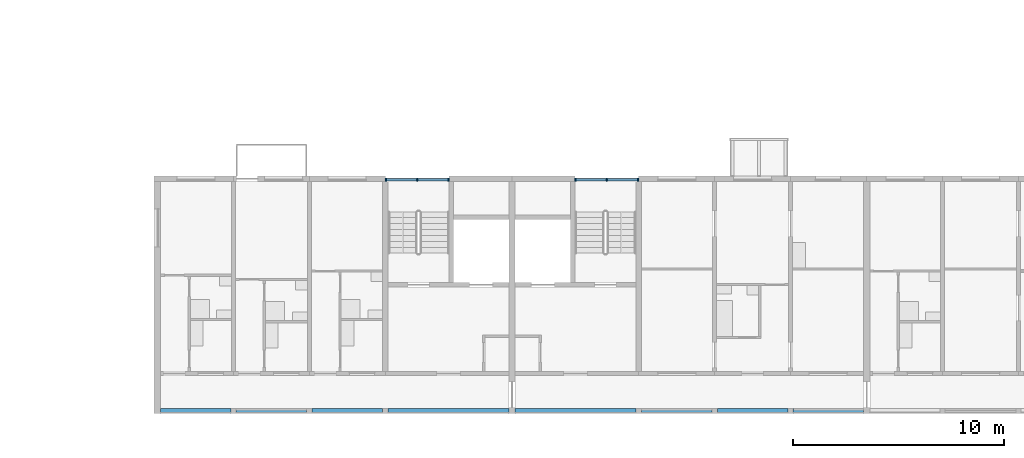
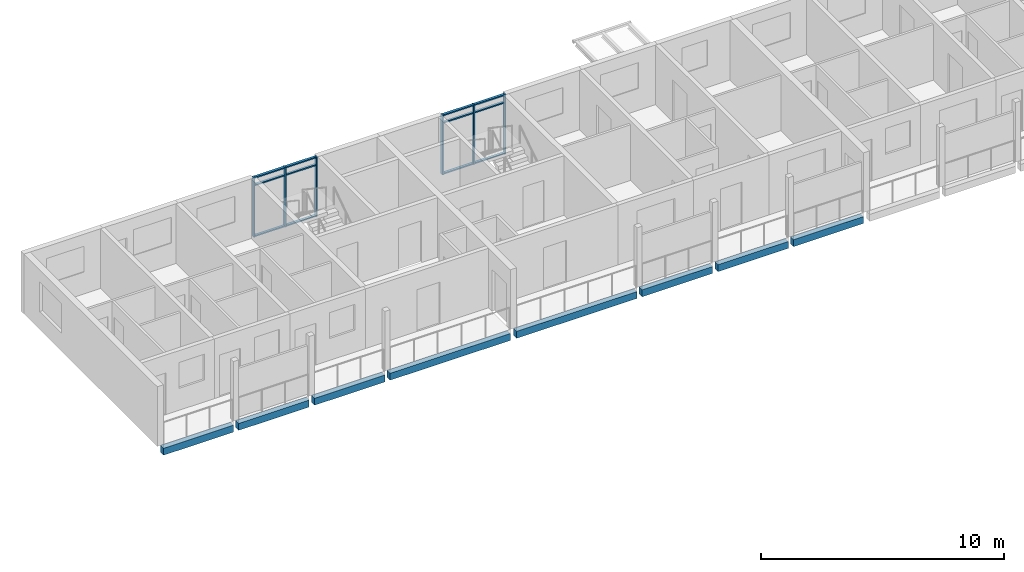
# One storey, part 14 of 94: 18 members, 8 beams, 2 elements without a shape of their own.
"""IFC4 building model written with IfcOpenShell, lengths in metres."""

from ifc_helpers import new_model, si_unit, direction, frame, origin, origin_2d, place, context, subcontext, project, spatial, rectangle, extrude, material, material_profile, profile_set, type_object, element, aggregate, save


model = new_model("IFC4")

# Units and contexts
model_context = context("Model", 3, precision=1e-05, world=origin(), true_north=direction((0.0, 1.0)))
body_context = subcontext(model_context, "Body", "Model", "MODEL_VIEW")
ifc_project = project(units=[si_unit("LENGTHUNIT", "METRE"), si_unit("AREAUNIT", "SQUARE_METRE"), si_unit("VOLUMEUNIT", "CUBIC_METRE"), si_unit("PLANEANGLEUNIT", "RADIAN"), si_unit("MASSUNIT", "GRAM", prefix="KILO")], contexts=[model_context])

# Site, building, storey
site_placement = place(None, origin())
site = spatial("IfcSite", under=ifc_project, at=site_placement, CompositionType="ELEMENT")
building_placement = place(site_placement, origin())
building = spatial("IfcBuilding", under=site, at=building_placement, Name="Ridgestep Commons", CompositionType="ELEMENT")
storey_placement = place(building_placement, frame((0.0, 0.0, 21.0)))
storey = spatial("IfcBuildingStorey", under=building, at=storey_placement, Name="L07", CompositionType="ELEMENT", Elevation=21.0)

# Beams
ifc_material_1 = material(Name="Precast concrete C40/50", Category="concrete")
ifc_material_profile_1 = material_profile(ifc_material_1, rectangle(XDim=0.25, YDim=0.35009765625, at=origin_2d()), Name="PC 250x350")
ifc_profile_set_1 = profile_set([ifc_material_profile_1], Name="Precast concrete C40/50")
beam_type = type_object("IfcBeamType", Name="Loggia edge beam 250 x 350", PredefinedType="SPANDREL", material=ifc_profile_set_1)
beam_1_placement = place(storey_placement, frame((146.949951171875, 11.875, -0.375), z_axis=(1.0, 0.0, 0.0), x_axis=(0.0, 1.0, 0.0)))
element("IfcBeam", 1, at=beam_1_placement, inside=storey, type_object=beam_type, Name="Loggia edge beam D1T1 L07", PredefinedType="SPANDREL", context=body_context, shape_type="SweptSolid", body=[
    extrude(rectangle(XDim=0.25, YDim=0.35009765625, at=origin_2d()), origin(), (0.0, 0.0, 1.0), 3.324951171875),
])
for number, where, z_axis, x_axis, name in (
    (2, (150.52490234375, 11.875, -0.375), (1.0, 0.0, 0.0), (0.0, 1.0, 0.0), "Loggia edge beam D1T2 L07"),
    (3, (154.125, 11.875, -0.375), (1.0, 0.0, 0.0), (0.0, 1.0, 0.0), "Loggia edge beam D1T3 L07"),
):
    element("IfcBeam", number, at=place(storey_placement, frame(where, z_axis=z_axis, x_axis=x_axis)), inside=storey, type_object=beam_type, Name=name, PredefinedType="SPANDREL", context=body_context, shape_type="SweptSolid", body=[
        extrude(rectangle(XDim=0.25, YDim=0.35009765625, at=origin_2d()), origin(), (0.0, 0.0, 1.0), 3.35009765625),
    ])
beam_2_placement = place(storey_placement, frame((157.72509765625, 11.875, -0.375), z_axis=(1.0, 0.0, 0.0), x_axis=(0.0, 1.0, 0.0)))
element("IfcBeam", 4, at=beam_2_placement, inside=storey, type_object=beam_type, Name="Loggia edge beam D1C L07", PredefinedType="SPANDREL", context=body_context, shape_type="SweptSolid", body=[
    extrude(rectangle(XDim=0.25, YDim=0.35009765625, at=origin_2d()), origin(), (0.0, 0.0, 1.0), 5.724853515625),
])
beam_3_placement = place(storey_placement, frame((163.75, 11.875, -0.375), z_axis=(1.0, 0.0, 0.0), x_axis=(0.0, 1.0, 0.0)))
element("IfcBeam", 5, at=beam_3_placement, inside=storey, type_object=beam_type, Name="Loggia edge beam D2C L07", PredefinedType="SPANDREL", context=body_context, shape_type="SweptSolid", body=[
    extrude(rectangle(XDim=0.25, YDim=0.35009765625, at=origin_2d()), origin(), (0.0, 0.0, 1.0), 5.72509765625),
])
beam_4_placement = place(storey_placement, frame((169.72509765625, 11.875, -0.375), z_axis=(1.0, 0.0, 0.0), x_axis=(0.0, 1.0, 0.0)))
element("IfcBeam", 6, at=beam_4_placement, inside=storey, type_object=beam_type, Name="Loggia edge beam D2T3 L07", PredefinedType="SPANDREL", context=body_context, shape_type="SweptSolid", body=[
    extrude(rectangle(XDim=0.25, YDim=0.35009765625, at=origin_2d()), origin(), (0.0, 0.0, 1.0), 3.349853515625),
])
beam_5_placement = place(storey_placement, frame((173.324951171875, 11.875, -0.375), z_axis=(1.0, 0.0, 0.0), x_axis=(0.0, 1.0, 0.0)))
element("IfcBeam", 7, at=beam_5_placement, inside=storey, type_object=beam_type, Name="Loggia edge beam D2T2 L07", PredefinedType="SPANDREL", context=body_context, shape_type="SweptSolid", body=[
    extrude(rectangle(XDim=0.25, YDim=0.35009765625, at=origin_2d()), origin(), (0.0, 0.0, 1.0), 3.35009765625),
])
beam_6_placement = place(storey_placement, frame((176.925048828125, 11.875, -0.375), z_axis=(1.0, 0.0, 0.0), x_axis=(0.0, 1.0, 0.0)))
element("IfcBeam", 8, at=beam_6_placement, inside=storey, type_object=beam_type, Name="Loggia edge beam D2T1 L07", PredefinedType="SPANDREL", context=body_context, shape_type="SweptSolid", body=[
    extrude(rectangle(XDim=0.25, YDim=0.35009765625, at=origin_2d()), origin(), (0.0, 0.0, 1.0), 3.324951171875),
])

# Curtain wall, members
ifc_material_2 = material(Name="Aluminium 6063-T6 and glass", Category="aluminium")
curtain_wall_type = type_object("IfcCurtainWallType", Name="Curtain wall stair strip", PredefinedType="NOTDEFINED", material=ifc_material_2)
curtain_wall_1_placement = place(storey_placement, origin())
curtain_wall_1 = element("IfcCurtainWall", 9, at=curtain_wall_1_placement, inside=storey, type_object=curtain_wall_type, Name="Curtain wall D1C level 07", PredefinedType="NOTDEFINED")
ifc_material_3 = material(Name="Aluminium 6063-T6", Category="aluminium")
ifc_material_profile_2 = material_profile(ifc_material_3, rectangle(XDim=0.159912109375, YDim=0.06005859375, at=origin_2d()), Name="Mullion 60 x 160")
ifc_profile_set_2 = profile_set([ifc_material_profile_2], Name="Aluminium 6063-T6")
member_type_1 = type_object("IfcMemberType", Name="Mullion 60 x 160", PredefinedType="MULLION", material=ifc_profile_set_2)
member_1_placement = place(storey_placement, frame((157.6298828125, 22.830078125, 0.0), z_axis=(0.0, 0.0, 1.0), x_axis=(0.0, 1.0, 0.0)))
member_1 = element("IfcMember", 10, at=member_1_placement, type_object=member_type_1, Name="CW1 mullion 1", PredefinedType="MULLION", context=body_context, shape_type="SweptSolid", body=[
    extrude(rectangle(XDim=0.159912109375, YDim=0.06005859375, at=origin_2d()), origin(), (0.0, 0.0, 1.0), 3.0),
])
member_2_placement = place(storey_placement, frame((159.112548828125, 22.830078125, 0.0), z_axis=(0.0, 0.0, 1.0), x_axis=(0.0, 1.0, 0.0)))
member_2 = element("IfcMember", 11, at=member_2_placement, type_object=member_type_1, Name="CW1 mullion 2", PredefinedType="MULLION", context=body_context, shape_type="SweptSolid", body=[
    extrude(rectangle(XDim=0.159912109375, YDim=0.06005859375, at=origin_2d()), origin(), (0.0, 0.0, 1.0), 3.0),
])
member_3_placement = place(storey_placement, frame((160.594970703125, 22.830078125, 0.0), z_axis=(0.0, 0.0, 1.0), x_axis=(0.0, 1.0, 0.0)))
member_3 = element("IfcMember", 12, at=member_3_placement, type_object=member_type_1, Name="CW1 mullion 3", PredefinedType="MULLION", context=body_context, shape_type="SweptSolid", body=[
    extrude(rectangle(XDim=0.159912109375, YDim=0.06005859375, at=origin_2d()), origin(), (0.0, 0.0, 1.0), 3.0),
])

curtain_wall_2_placement = place(storey_placement, origin())
curtain_wall_2 = element("IfcCurtainWall", 13, at=curtain_wall_2_placement, inside=storey, type_object=curtain_wall_type, Name="Curtain wall D2C level 07", PredefinedType="NOTDEFINED")
member_4_placement = place(storey_placement, frame((166.60498046875, 22.830078125, 0.0), z_axis=(0.0, 0.0, 1.0), x_axis=(0.0, 1.0, 0.0)))
member_4 = element("IfcMember", 14, at=member_4_placement, type_object=member_type_1, Name="CW1 mullion 1", PredefinedType="MULLION", context=body_context, shape_type="SweptSolid", body=[
    extrude(rectangle(XDim=0.159912109375, YDim=0.06005859375, at=origin_2d()), origin(), (0.0, 0.0, 1.0), 3.0),
])
member_5_placement = place(storey_placement, frame((168.08740234375, 22.830078125, 0.0), z_axis=(0.0, 0.0, 1.0), x_axis=(0.0, 1.0, 0.0)))
member_5 = element("IfcMember", 15, at=member_5_placement, type_object=member_type_1, Name="CW1 mullion 2", PredefinedType="MULLION", context=body_context, shape_type="SweptSolid", body=[
    extrude(rectangle(XDim=0.159912109375, YDim=0.06005859375, at=origin_2d()), origin(), (0.0, 0.0, 1.0), 3.0),
])
member_6_placement = place(storey_placement, frame((169.570068359375, 22.830078125, 0.0), z_axis=(0.0, 0.0, 1.0), x_axis=(0.0, 1.0, 0.0)))
member_6 = element("IfcMember", 16, at=member_6_placement, type_object=member_type_1, Name="CW1 mullion 3", PredefinedType="MULLION", context=body_context, shape_type="SweptSolid", body=[
    extrude(rectangle(XDim=0.159912109375, YDim=0.06005859375, at=origin_2d()), origin(), (0.0, 0.0, 1.0), 3.0),
])

# Member
ifc_material_4 = material(Name="Aluminium 6063-T6", Category="aluminium")
ifc_material_profile_3 = material_profile(ifc_material_4, rectangle(XDim=0.1201171875, YDim=0.06005859375, at=origin_2d()), Name="Transom 60 x 120")
ifc_profile_set_3 = profile_set([ifc_material_profile_3], Name="Aluminium 6063-T6")
member_type_2 = type_object("IfcMemberType", Name="Transom 60 x 120", PredefinedType="USERDEFINED", material=ifc_profile_set_3)
member_7_placement = place(storey_placement, frame((157.659912109375, 22.830078125, 0.030029296875), z_axis=(1.0, 0.0, 0.0), x_axis=(0.0, 1.0, 0.0)))
member_7 = element("IfcMember", 17, at=member_7_placement, type_object=member_type_2, Name="CW1 transom 1.1", ObjectType="TRANSOM", PredefinedType="USERDEFINED", context=body_context, shape_type="SweptSolid", body=[
    extrude(rectangle(XDim=0.1201171875, YDim=0.06005859375, at=origin_2d()), origin(), (0.0, 0.0, 1.0), 1.422607421875),
])

member_8_placement = place(storey_placement, frame((157.659912109375, 22.830078125, 2.590087890625), z_axis=(1.0, 0.0, 0.0), x_axis=(0.0, 1.0, 0.0)))
member_8 = element("IfcMember", 18, at=member_8_placement, type_object=member_type_2, Name="CW1 transom 1.2", ObjectType="TRANSOM", PredefinedType="USERDEFINED", context=body_context, shape_type="SweptSolid", body=[
    extrude(rectangle(XDim=0.1201171875, YDim=0.06005859375, at=origin_2d()), origin(), (0.0, 0.0, 1.0), 1.422607421875),
])

member_9_placement = place(storey_placement, frame((157.659912109375, 22.830078125, 2.969970703125), z_axis=(1.0, 0.0, 0.0), x_axis=(0.0, 1.0, 0.0)))
member_9 = element("IfcMember", 19, at=member_9_placement, type_object=member_type_2, Name="CW1 transom 1.3", ObjectType="TRANSOM", PredefinedType="USERDEFINED", context=body_context, shape_type="SweptSolid", body=[
    extrude(rectangle(XDim=0.1201171875, YDim=0.06005859375, at=origin_2d()), origin(), (0.0, 0.0, 1.0), 1.422607421875),
])

member_10_placement = place(storey_placement, frame((159.142578125, 22.830078125, 0.030029296875), z_axis=(1.0, 0.0, 0.0), x_axis=(0.0, 1.0, 0.0)))
member_10 = element("IfcMember", 20, at=member_10_placement, type_object=member_type_2, Name="CW1 transom 2.1", ObjectType="TRANSOM", PredefinedType="USERDEFINED", context=body_context, shape_type="SweptSolid", body=[
    extrude(rectangle(XDim=0.1201171875, YDim=0.06005859375, at=origin_2d()), origin(), (0.0, 0.0, 1.0), 1.42236328125),
])

member_11_placement = place(storey_placement, frame((159.142578125, 22.830078125, 2.590087890625), z_axis=(1.0, 0.0, 0.0), x_axis=(0.0, 1.0, 0.0)))
member_11 = element("IfcMember", 21, at=member_11_placement, type_object=member_type_2, Name="CW1 transom 2.2", ObjectType="TRANSOM", PredefinedType="USERDEFINED", context=body_context, shape_type="SweptSolid", body=[
    extrude(rectangle(XDim=0.1201171875, YDim=0.06005859375, at=origin_2d()), origin(), (0.0, 0.0, 1.0), 1.42236328125),
])

member_12_placement = place(storey_placement, frame((159.142578125, 22.830078125, 2.969970703125), z_axis=(1.0, 0.0, 0.0), x_axis=(0.0, 1.0, 0.0)))
member_12 = element("IfcMember", 22, at=member_12_placement, type_object=member_type_2, Name="CW1 transom 2.3", ObjectType="TRANSOM", PredefinedType="USERDEFINED", context=body_context, shape_type="SweptSolid", body=[
    extrude(rectangle(XDim=0.1201171875, YDim=0.06005859375, at=origin_2d()), origin(), (0.0, 0.0, 1.0), 1.42236328125),
])

aggregate(curtain_wall_1, [member_1, member_2, member_3, member_7, member_8, member_9, member_10, member_11, member_12])

member_13_placement = place(storey_placement, frame((166.635009765625, 22.830078125, 0.030029296875), z_axis=(1.0, 0.0, 0.0), x_axis=(0.0, 1.0, 0.0)))
member_13 = element("IfcMember", 23, at=member_13_placement, type_object=member_type_2, Name="CW1 transom 1.1", ObjectType="TRANSOM", PredefinedType="USERDEFINED", context=body_context, shape_type="SweptSolid", body=[
    extrude(rectangle(XDim=0.1201171875, YDim=0.06005859375, at=origin_2d()), origin(), (0.0, 0.0, 1.0), 1.422607421875),
])

member_14_placement = place(storey_placement, frame((166.635009765625, 22.830078125, 2.590087890625), z_axis=(1.0, 0.0, 0.0), x_axis=(0.0, 1.0, 0.0)))
member_14 = element("IfcMember", 24, at=member_14_placement, type_object=member_type_2, Name="CW1 transom 1.2", ObjectType="TRANSOM", PredefinedType="USERDEFINED", context=body_context, shape_type="SweptSolid", body=[
    extrude(rectangle(XDim=0.1201171875, YDim=0.06005859375, at=origin_2d()), origin(), (0.0, 0.0, 1.0), 1.422607421875),
])

member_15_placement = place(storey_placement, frame((166.635009765625, 22.830078125, 2.969970703125), z_axis=(1.0, 0.0, 0.0), x_axis=(0.0, 1.0, 0.0)))
member_15 = element("IfcMember", 25, at=member_15_placement, type_object=member_type_2, Name="CW1 transom 1.3", ObjectType="TRANSOM", PredefinedType="USERDEFINED", context=body_context, shape_type="SweptSolid", body=[
    extrude(rectangle(XDim=0.1201171875, YDim=0.06005859375, at=origin_2d()), origin(), (0.0, 0.0, 1.0), 1.422607421875),
])

member_16_placement = place(storey_placement, frame((168.117431640625, 22.830078125, 0.030029296875), z_axis=(1.0, 0.0, 0.0), x_axis=(0.0, 1.0, 0.0)))
member_16 = element("IfcMember", 26, at=member_16_placement, type_object=member_type_2, Name="CW1 transom 2.1", ObjectType="TRANSOM", PredefinedType="USERDEFINED", context=body_context, shape_type="SweptSolid", body=[
    extrude(rectangle(XDim=0.1201171875, YDim=0.06005859375, at=origin_2d()), origin(), (0.0, 0.0, 1.0), 1.422607421875),
])

member_17_placement = place(storey_placement, frame((168.117431640625, 22.830078125, 2.590087890625), z_axis=(1.0, 0.0, 0.0), x_axis=(0.0, 1.0, 0.0)))
member_17 = element("IfcMember", 27, at=member_17_placement, type_object=member_type_2, Name="CW1 transom 2.2", ObjectType="TRANSOM", PredefinedType="USERDEFINED", context=body_context, shape_type="SweptSolid", body=[
    extrude(rectangle(XDim=0.1201171875, YDim=0.06005859375, at=origin_2d()), origin(), (0.0, 0.0, 1.0), 1.422607421875),
])

member_18_placement = place(storey_placement, frame((168.117431640625, 22.830078125, 2.969970703125), z_axis=(1.0, 0.0, 0.0), x_axis=(0.0, 1.0, 0.0)))
member_18 = element("IfcMember", 28, at=member_18_placement, type_object=member_type_2, Name="CW1 transom 2.3", ObjectType="TRANSOM", PredefinedType="USERDEFINED", context=body_context, shape_type="SweptSolid", body=[
    extrude(rectangle(XDim=0.1201171875, YDim=0.06005859375, at=origin_2d()), origin(), (0.0, 0.0, 1.0), 1.422607421875),
])

aggregate(curtain_wall_2, [member_4, member_5, member_6, member_13, member_14, member_15, member_16, member_17, member_18])

save(model, "model.ifc")
